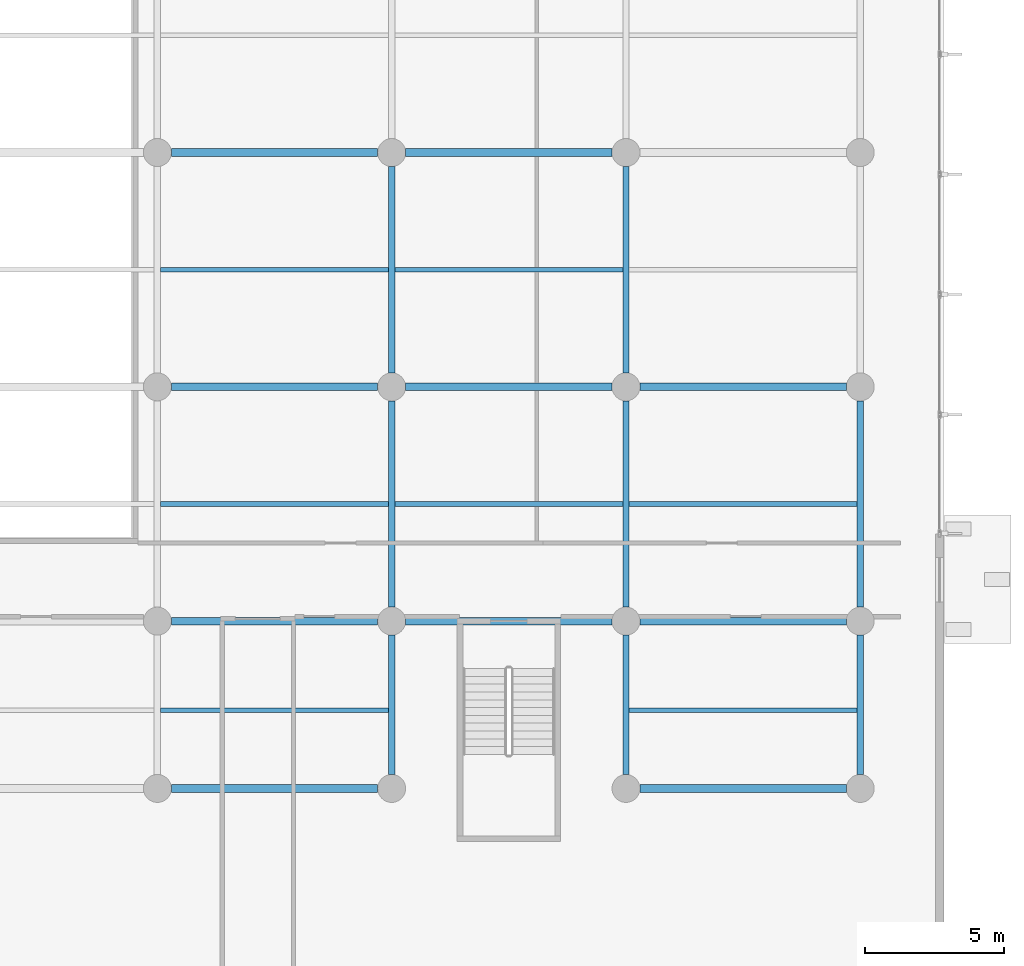
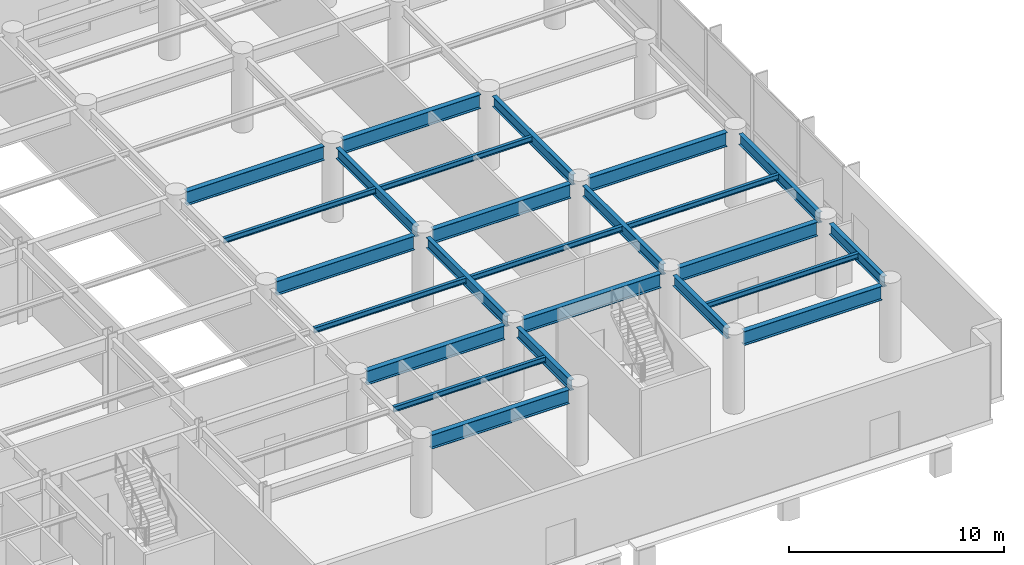
# One storey, part 8 of 26: 25 beams.
"""IFC4 building model written with IfcOpenShell, lengths in metres."""

from ifc_helpers import new_model, si_unit, direction, frame, origin, origin_2d, place, context, subcontext, project, spatial, i_section, extrude, material, material_profile, profile_set, type_object, element, save


model = new_model("IFC4")

# Units and contexts
model_context = context("Model", 3, precision=1e-05, world=origin(), true_north=direction((0.0, 1.0)))
body_context = subcontext(model_context, "Body", "Model", "MODEL_VIEW")
ifc_project = project(units=[si_unit("LENGTHUNIT", "METRE"), si_unit("AREAUNIT", "SQUARE_METRE"), si_unit("VOLUMEUNIT", "CUBIC_METRE"), si_unit("PLANEANGLEUNIT", "RADIAN"), si_unit("MASSUNIT", "GRAM", prefix="KILO")], contexts=[model_context])

# Site, building, storey
site_placement = place(None, origin())
site = spatial("IfcSite", under=ifc_project, at=site_placement, CompositionType="ELEMENT")
building_placement = place(site_placement, origin())
building = spatial("IfcBuilding", under=site, at=building_placement, Name="Varnakote Quay Hospital", CompositionType="ELEMENT")
storey_placement = place(building_placement, origin())
storey = spatial("IfcBuildingStorey", under=building, at=storey_placement, Name="L00", CompositionType="ELEMENT", Elevation=0.0)

# Beams
ifc_material_1 = material(Name="Structural steel AS/NZS 3679.1 Grade 350 L0 (fy 340 MPa)", Category="steel")
ifc_material_profile_1 = material_profile(ifc_material_1, i_section(OverallWidth=0.22802734375, OverallDepth=0.60205078125, WebThickness=0.010498046875, FlangeThickness=0.014892578125, FilletRadius=0.013916015625, at=origin_2d()), Name="610UB101")
ifc_profile_set_1 = profile_set([ifc_material_profile_1], Name="Structural steel AS/NZS 3679.1 Grade 350 L0 (fy 340 MPa)")
beam_type_1 = type_object("IfcBeamType", Name="BM-STL-610UB101", PredefinedType="BEAM", material=ifc_profile_set_1)
beam_1_placement = place(storey_placement, frame((67.199951171875, 6.5, 3.948974609375), z_axis=(0.0, 1.0, 0.0), x_axis=(-1.0, 0.0, 0.0)))
element("IfcBeam", 1, at=beam_1_placement, inside=storey, type_object=beam_type_1, Name="L00 Primary Tie Beam", PredefinedType="BEAM", context=body_context, shape_type="SweptSolid", body=[
    extrude(i_section(OverallWidth=0.22802734375, OverallDepth=0.60205078125, WebThickness=0.010498046875, FlangeThickness=0.014892578125, FilletRadius=0.013916015625, at=origin_2d()), origin(), (0.0, 0.0, 1.0), 5.0),
])
beam_2_placement = place(storey_placement, frame((67.199951171875, 12.5, 3.948974609375), z_axis=(0.0, 1.0, 0.0), x_axis=(-1.0, 0.0, 0.0)))
element("IfcBeam", 2, at=beam_2_placement, inside=storey, type_object=beam_type_1, Name="L00 Primary Tie Beam", PredefinedType="BEAM", context=body_context, shape_type="SweptSolid", body=[
    extrude(i_section(OverallWidth=0.22802734375, OverallDepth=0.60205078125, WebThickness=0.010498046875, FlangeThickness=0.014892578125, FilletRadius=0.013916015625, at=origin_2d()), origin(), (0.0, 0.0, 1.0), 7.39990234375),
])
beam_3_placement = place(storey_placement, frame((67.199951171875, 20.89990234375, 3.948974609375), z_axis=(0.0, 1.0, 0.0), x_axis=(-1.0, 0.0, 0.0)))
element("IfcBeam", 3, at=beam_3_placement, inside=storey, type_object=beam_type_1, Name="L00 Primary Tie Beam", PredefinedType="BEAM", context=body_context, shape_type="SweptSolid", body=[
    extrude(i_section(OverallWidth=0.22802734375, OverallDepth=0.60205078125, WebThickness=0.010498046875, FlangeThickness=0.014892578125, FilletRadius=0.013916015625, at=origin_2d()), origin(), (0.0, 0.0, 1.0), 7.400146484375),
])
beam_4_placement = place(storey_placement, frame((75.60009765625, 6.5, 3.948974609375), z_axis=(0.0, 1.0, 0.0), x_axis=(-1.0, 0.0, 0.0)))
element("IfcBeam", 4, at=beam_4_placement, inside=storey, type_object=beam_type_1, Name="L00 Primary Tie Beam", PredefinedType="BEAM", context=body_context, shape_type="SweptSolid", body=[
    extrude(i_section(OverallWidth=0.22802734375, OverallDepth=0.60205078125, WebThickness=0.010498046875, FlangeThickness=0.014892578125, FilletRadius=0.013916015625, at=origin_2d()), origin(), (0.0, 0.0, 1.0), 5.0),
])
beam_5_placement = place(storey_placement, frame((75.60009765625, 12.5, 3.948974609375), z_axis=(0.0, 1.0, 0.0), x_axis=(-1.0, 0.0, 0.0)))
element("IfcBeam", 5, at=beam_5_placement, inside=storey, type_object=beam_type_1, Name="L00 Primary Tie Beam", PredefinedType="BEAM", context=body_context, shape_type="SweptSolid", body=[
    extrude(i_section(OverallWidth=0.22802734375, OverallDepth=0.60205078125, WebThickness=0.010498046875, FlangeThickness=0.014892578125, FilletRadius=0.013916015625, at=origin_2d()), origin(), (0.0, 0.0, 1.0), 7.39990234375),
])
beam_6_placement = place(storey_placement, frame((75.60009765625, 20.89990234375, 3.948974609375), z_axis=(0.0, 1.0, 0.0), x_axis=(-1.0, 0.0, 0.0)))
element("IfcBeam", 6, at=beam_6_placement, inside=storey, type_object=beam_type_1, Name="L00 Primary Tie Beam", PredefinedType="BEAM", context=body_context, shape_type="SweptSolid", body=[
    extrude(i_section(OverallWidth=0.22802734375, OverallDepth=0.60205078125, WebThickness=0.010498046875, FlangeThickness=0.014892578125, FilletRadius=0.013916015625, at=origin_2d()), origin(), (0.0, 0.0, 1.0), 7.400146484375),
])
beam_7_placement = place(storey_placement, frame((84.0, 6.5, 3.948974609375), z_axis=(0.0, 1.0, 0.0), x_axis=(-1.0, 0.0, 0.0)))
element("IfcBeam", 7, at=beam_7_placement, inside=storey, type_object=beam_type_1, Name="L00 Primary Tie Beam", PredefinedType="BEAM", context=body_context, shape_type="SweptSolid", body=[
    extrude(i_section(OverallWidth=0.22802734375, OverallDepth=0.60205078125, WebThickness=0.010498046875, FlangeThickness=0.014892578125, FilletRadius=0.013916015625, at=origin_2d()), origin(), (0.0, 0.0, 1.0), 5.0),
])
beam_8_placement = place(storey_placement, frame((84.0, 12.5, 3.948974609375), z_axis=(0.0, 1.0, 0.0), x_axis=(-1.0, 0.0, 0.0)))
element("IfcBeam", 8, at=beam_8_placement, inside=storey, type_object=beam_type_1, Name="L00 Primary Tie Beam", PredefinedType="BEAM", context=body_context, shape_type="SweptSolid", body=[
    extrude(i_section(OverallWidth=0.22802734375, OverallDepth=0.60205078125, WebThickness=0.010498046875, FlangeThickness=0.014892578125, FilletRadius=0.013916015625, at=origin_2d()), origin(), (0.0, 0.0, 1.0), 7.39990234375),
])
ifc_material_2 = material(Name="Structural steel AS/NZS 3678 Grade 350 (fy 340 MPa)", Category="steel")
ifc_material_profile_2 = material_profile(ifc_material_2, i_section(OverallWidth=0.27490234375, OverallDepth=0.800048828125, WebThickness=0.010009765625, FlangeThickness=0.02001953125, at=origin_2d()), Name="800WB146")
ifc_profile_set_2 = profile_set([ifc_material_profile_2], Name="Structural steel AS/NZS 3678 Grade 350 (fy 340 MPa)")
beam_type_2 = type_object("IfcBeamType", Name="BM-STL-800WB146", PredefinedType="BEAM", material=ifc_profile_set_2)
for number, where, z_axis, x_axis, name in (
    (9, (59.300048828125, 6.0, 3.85009765625), (1.0, 0.0, 0.0), (0.0, 1.0, 0.0), "L00 Primary Floor Beam"),
    (10, (76.10009765625, 6.0, 3.85009765625), (1.0, 0.0, 0.0), (0.0, 1.0, 0.0), "L00 Primary Floor Beam"),
    (11, (59.300048828125, 12.0, 3.85009765625), (1.0, 0.0, 0.0), (0.0, 1.0, 0.0), "L00 Primary Floor Beam"),
):
    element("IfcBeam", number, at=place(storey_placement, frame(where, z_axis=z_axis, x_axis=x_axis)), inside=storey, type_object=beam_type_2, Name=name, PredefinedType="BEAM", context=body_context, shape_type="SweptSolid", body=[
        extrude(i_section(OverallWidth=0.27490234375, OverallDepth=0.800048828125, WebThickness=0.010009765625, FlangeThickness=0.02001953125, at=origin_2d()), origin(), (0.0, 0.0, 1.0), 7.39990234375),
    ])
beam_9_placement = place(storey_placement, frame((67.699951171875, 12.0, 3.85009765625), z_axis=(1.0, 0.0, 0.0), x_axis=(0.0, 1.0, 0.0)))
element("IfcBeam", 12, at=beam_9_placement, inside=storey, type_object=beam_type_2, Name="L00 Primary Floor Beam", PredefinedType="BEAM", context=body_context, shape_type="SweptSolid", body=[
    extrude(i_section(OverallWidth=0.27490234375, OverallDepth=0.800048828125, WebThickness=0.010009765625, FlangeThickness=0.02001953125, at=origin_2d()), origin(), (0.0, 0.0, 1.0), 7.400146484375),
])
for number, where, z_axis, x_axis, name in (
    (13, (76.10009765625, 12.0, 3.85009765625), (1.0, 0.0, 0.0), (0.0, 1.0, 0.0), "L00 Primary Floor Beam"),
    (14, (59.300048828125, 20.39990234375, 3.85009765625), (1.0, 0.0, 0.0), (0.0, 1.0, 0.0), "L00 Primary Floor Beam"),
):
    element("IfcBeam", number, at=place(storey_placement, frame(where, z_axis=z_axis, x_axis=x_axis)), inside=storey, type_object=beam_type_2, Name=name, PredefinedType="BEAM", context=body_context, shape_type="SweptSolid", body=[
        extrude(i_section(OverallWidth=0.27490234375, OverallDepth=0.800048828125, WebThickness=0.010009765625, FlangeThickness=0.02001953125, at=origin_2d()), origin(), (0.0, 0.0, 1.0), 7.39990234375),
    ])
beam_10_placement = place(storey_placement, frame((67.699951171875, 20.39990234375, 3.85009765625), z_axis=(1.0, 0.0, 0.0), x_axis=(0.0, 1.0, 0.0)))
element("IfcBeam", 15, at=beam_10_placement, inside=storey, type_object=beam_type_2, Name="L00 Primary Floor Beam", PredefinedType="BEAM", context=body_context, shape_type="SweptSolid", body=[
    extrude(i_section(OverallWidth=0.27490234375, OverallDepth=0.800048828125, WebThickness=0.010009765625, FlangeThickness=0.02001953125, at=origin_2d()), origin(), (0.0, 0.0, 1.0), 7.400146484375),
])
for number, where, z_axis, x_axis, name in (
    (16, (76.10009765625, 20.39990234375, 3.85009765625), (1.0, 0.0, 0.0), (0.0, 1.0, 0.0), "L00 Primary Floor Beam"),
    (17, (59.300048828125, 28.800048828125, 3.85009765625), (1.0, 0.0, 0.0), (0.0, 1.0, 0.0), "L00 Primary Floor Beam"),
):
    element("IfcBeam", number, at=place(storey_placement, frame(where, z_axis=z_axis, x_axis=x_axis)), inside=storey, type_object=beam_type_2, Name=name, PredefinedType="BEAM", context=body_context, shape_type="SweptSolid", body=[
        extrude(i_section(OverallWidth=0.27490234375, OverallDepth=0.800048828125, WebThickness=0.010009765625, FlangeThickness=0.02001953125, at=origin_2d()), origin(), (0.0, 0.0, 1.0), 7.39990234375),
    ])
beam_11_placement = place(storey_placement, frame((67.699951171875, 28.800048828125, 3.85009765625), z_axis=(1.0, 0.0, 0.0), x_axis=(0.0, 1.0, 0.0)))
element("IfcBeam", 18, at=beam_11_placement, inside=storey, type_object=beam_type_2, Name="L00 Primary Floor Beam", PredefinedType="BEAM", context=body_context, shape_type="SweptSolid", body=[
    extrude(i_section(OverallWidth=0.27490234375, OverallDepth=0.800048828125, WebThickness=0.010009765625, FlangeThickness=0.02001953125, at=origin_2d()), origin(), (0.0, 0.0, 1.0), 7.400146484375),
])
ifc_material_3 = material(Name="Structural steel AS/NZS 3679.1 Grade 350 L0 (fy 340 MPa)", Category="steel")
ifc_material_profile_3 = material_profile(ifc_material_3, i_section(OverallWidth=0.1650390625, OverallDepth=0.303955078125, WebThickness=0.006103515625, FlangeThickness=0.01025390625, FilletRadius=0.011474609375, at=origin_2d()), Name="310UB40.4")
ifc_profile_set_3 = profile_set([ifc_material_profile_3], Name="Structural steel AS/NZS 3679.1 Grade 350 L0 (fy 340 MPa)")
beam_type_3 = type_object("IfcBeamType", Name="JST-STL-310UB40-4", PredefinedType="JOIST", material=ifc_profile_set_3)
for number, where, z_axis, x_axis, name in (
    (19, (58.9140625, 8.800048828125, 4.097900390625), (1.0, 0.0, 0.0), (0.0, 1.0, 0.0), "L00 Composite Floor Joist"),
    (20, (75.714111328125, 8.800048828125, 4.097900390625), (1.0, 0.0, 0.0), (0.0, 1.0, 0.0), "L00 Composite Floor Joist"),
    (21, (58.9140625, 16.199951171875, 4.097900390625), (1.0, 0.0, 0.0), (0.0, 1.0, 0.0), "L00 Composite Floor Joist"),
):
    element("IfcBeam", number, at=place(storey_placement, frame(where, z_axis=z_axis, x_axis=x_axis)), inside=storey, type_object=beam_type_3, Name=name, PredefinedType="JOIST", context=body_context, shape_type="SweptSolid", body=[
        extrude(i_section(OverallWidth=0.1650390625, OverallDepth=0.303955078125, WebThickness=0.006103515625, FlangeThickness=0.01025390625, FilletRadius=0.011474609375, at=origin_2d()), origin(), (0.0, 0.0, 1.0), 8.171875),
    ])
beam_12_placement = place(storey_placement, frame((67.31396484375, 16.199951171875, 4.097900390625), z_axis=(1.0, 0.0, 0.0), x_axis=(0.0, 1.0, 0.0)))
element("IfcBeam", 22, at=beam_12_placement, inside=storey, type_object=beam_type_3, Name="L00 Composite Floor Joist", PredefinedType="JOIST", context=body_context, shape_type="SweptSolid", body=[
    extrude(i_section(OverallWidth=0.1650390625, OverallDepth=0.303955078125, WebThickness=0.006103515625, FlangeThickness=0.01025390625, FilletRadius=0.011474609375, at=origin_2d()), origin(), (0.0, 0.0, 1.0), 8.172119140625),
])
for number, where, z_axis, x_axis, name in (
    (23, (75.714111328125, 16.199951171875, 4.097900390625), (1.0, 0.0, 0.0), (0.0, 1.0, 0.0), "L00 Composite Floor Joist"),
    (24, (58.9140625, 24.60009765625, 4.097900390625), (1.0, 0.0, 0.0), (0.0, 1.0, 0.0), "L00 Composite Floor Joist"),
):
    element("IfcBeam", number, at=place(storey_placement, frame(where, z_axis=z_axis, x_axis=x_axis)), inside=storey, type_object=beam_type_3, Name=name, PredefinedType="JOIST", context=body_context, shape_type="SweptSolid", body=[
        extrude(i_section(OverallWidth=0.1650390625, OverallDepth=0.303955078125, WebThickness=0.006103515625, FlangeThickness=0.01025390625, FilletRadius=0.011474609375, at=origin_2d()), origin(), (0.0, 0.0, 1.0), 8.171875),
    ])
beam_13_placement = place(storey_placement, frame((67.31396484375, 24.60009765625, 4.097900390625), z_axis=(1.0, 0.0, 0.0), x_axis=(0.0, 1.0, 0.0)))
element("IfcBeam", 25, at=beam_13_placement, inside=storey, type_object=beam_type_3, Name="L00 Composite Floor Joist", PredefinedType="JOIST", context=body_context, shape_type="SweptSolid", body=[
    extrude(i_section(OverallWidth=0.1650390625, OverallDepth=0.303955078125, WebThickness=0.006103515625, FlangeThickness=0.01025390625, FilletRadius=0.011474609375, at=origin_2d()), origin(), (0.0, 0.0, 1.0), 8.172119140625),
])

save(model, "model.ifc")
